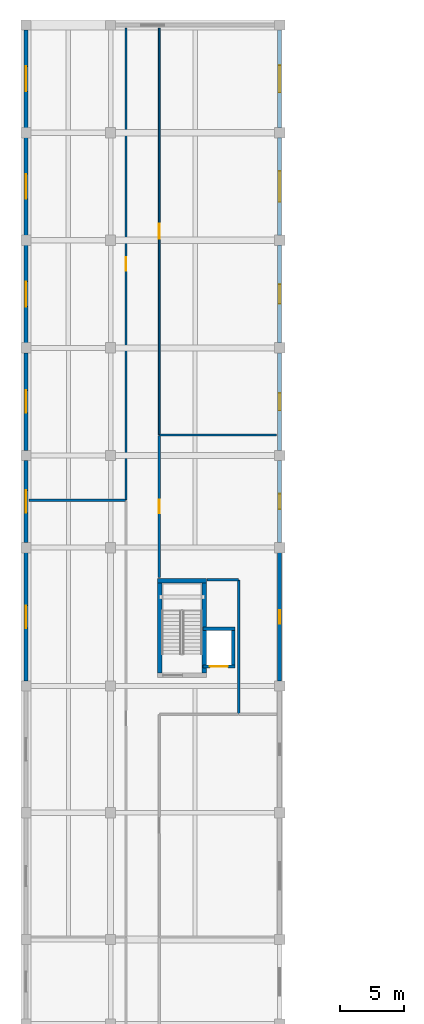
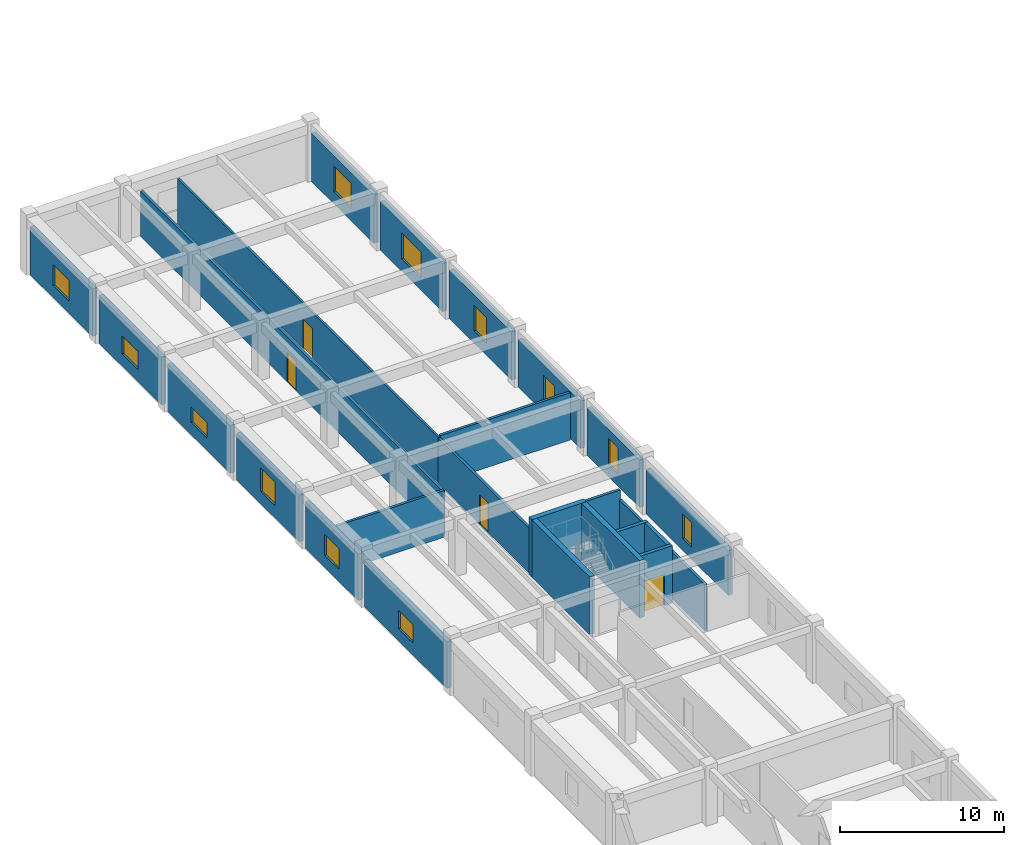
# One storey, part 46 of 57: 25 walls, 12 windows, 4 doors, 16 openings.
"""IFC4 building model written with IfcOpenShell, lengths in metres."""

from ifc_helpers import new_model, si_unit, direction, frame, frame_2d, origin, place, context, subcontext, project, spatial, rectangle, extrude, material, layer, layer_set, type_object, element, fill, save


model = new_model("IFC4")

# Units and contexts
model_context = context("Model", 3, precision=1e-05, world=origin(), true_north=direction((0.0, 1.0)))
body_context = subcontext(model_context, "Body", "Model", "MODEL_VIEW")
ifc_project = project(units=[si_unit("LENGTHUNIT", "METRE"), si_unit("AREAUNIT", "SQUARE_METRE"), si_unit("VOLUMEUNIT", "CUBIC_METRE"), si_unit("PLANEANGLEUNIT", "RADIAN"), si_unit("MASSUNIT", "GRAM", prefix="KILO")], contexts=[model_context])

# Site, building, storey
site_placement = place(None, origin())
site = spatial("IfcSite", under=ifc_project, at=site_placement, CompositionType="ELEMENT")
building_placement = place(site_placement, origin())
building = spatial("IfcBuilding", under=site, at=building_placement, Name="Miralva Faculty of Natural Sciences", CompositionType="ELEMENT")
storey_placement = place(building_placement, frame((0.0, 0.0, 15.0)))
storey = spatial("IfcBuildingStorey", under=building, at=storey_placement, Name="L03", CompositionType="ELEMENT", Elevation=15.0)

# Walls
ifc_material_1 = material(Name="Concrete C50/60", Category="concrete")
ifc_layer_1 = layer(ifc_material_1, 0.35009765625, Name="WL-CW02")
ifc_layer_set_1 = layer_set([ifc_layer_1], Name="Concrete C50/60")
wall_type_1 = type_object("IfcWallType", Name="WL-CW02", PredefinedType="SHEAR", material=ifc_layer_set_1)
wall_1_placement = place(storey_placement, frame((13.25, 73.625, 0.0), z_axis=(0.0, 0.0, 1.0), x_axis=(1.0, 0.0, 0.0)))
element("IfcWall", 1, at=wall_1_placement, inside=storey, type_object=wall_type_1, Name="Core C2 shear wall north L03", PredefinedType="SHEAR", context=body_context, shape_type="SweptSolid", body=[
    extrude(rectangle(XDim=3.85009765625, YDim=0.35009765625, at=frame_2d((1.925048828125, 0.0))), origin(), (0.0, 0.0, 1.0), 4.280029296875),
])
for number, where, z_axis, x_axis, name in (
    (2, (13.425048828125, 66.39990234375, 0.0), (0.0, 0.0, 1.0), (0.0, 1.0, 0.0), "Core C2 shear wall west L03"),
    (3, (16.925048828125, 66.39990234375, 0.0), (0.0, 0.0, 1.0), (0.0, 1.0, 0.0), "Core C2 shear wall east L03"),
):
    element("IfcWall", number, at=place(storey_placement, frame(where, z_axis=z_axis, x_axis=x_axis)), inside=storey, type_object=wall_type_1, Name=name, PredefinedType="SHEAR", context=body_context, shape_type="SweptSolid", body=[
        extrude(rectangle(XDim=7.050048828125, YDim=0.35009765625, at=frame_2d((3.52490234375, 0.0))), origin(), (0.0, 0.0, 1.0), 4.280029296875),
    ])

# Wall, opening, door
ifc_material_2 = material(Name="Concrete C40/50", Category="concrete")
ifc_layer_2 = layer(ifc_material_2, 0.25, Name="WL-CW04")
ifc_layer_set_2 = layer_set([ifc_layer_2], Name="Concrete C40/50")
wall_type_2 = type_object("IfcWallType", Name="WL-CW04", PredefinedType="SHEAR", material=ifc_layer_set_2)
wall_2_placement = place(storey_placement, frame((16.804931640625, 66.929931640625, 0.0), z_axis=(0.0, 0.0, 1.0), x_axis=(1.0, 0.0, 0.0)))
wall_2 = element("IfcWall", 4, at=wall_2_placement, inside=storey, type_object=wall_type_2, Name="Lift L-04 hoistway front wall L03", PredefinedType="SHEAR", context=body_context, shape_type="SweptSolid", body=[
    extrude(rectangle(XDim=2.489990234375, YDim=0.25, at=frame_2d((1.2451171875, 0.0))), origin(), (0.0, 0.0, 1.0), 4.260009765625),
])
opening_1_placement = place(wall_2_placement, frame((0.544921875, 0.0, 0.0)))
opening_1 = element("IfcOpeningElement", 5, at=opening_1_placement, cuts=wall_2, Name="Opening LD-04", PredefinedType="OPENING", context=body_context, shape_type="SweptSolid", body=[
    extrude(rectangle(XDim=1.39990234375, YDim=2.300048828125, at=frame_2d((0.699951171875, 1.14990234375))), frame((0.0, 0.135009765625, 0.0), z_axis=(0.0, -1.0, 0.0), x_axis=(1.0, 0.0, 0.0)), (0.0, 0.0, 1.0), 0.27001953125),
])
ifc_material_3 = material(Name="Galvanised steel", Category="steel")
door_type_1 = type_object("IfcDoorType", Name="DR-LD04", OperationType="DOUBLE_DOOR_SLIDING", PredefinedType="DOOR", material=ifc_material_3)
door_1_placement = place(opening_1_placement, frame((1.39990234375, 0.0, 0.0), z_axis=(0.0, 0.0, 1.0), x_axis=(-1.0, 0.0, 0.0)))
door_1 = element("IfcDoor", 6, at=door_1_placement, inside=storey, type_object=door_type_1, Name="Lift L-04 sliding landing door L03", OperationType="DOUBLE_DOOR_SLIDING", OverallHeight=2.300048828125, OverallWidth=1.39990234375, PredefinedType="DOOR", context=body_context, shape_type="SweptSolid", body=[
    extrude(rectangle(XDim=1.39990234375, YDim=2.300048828125, at=frame_2d((0.699951171875, 1.14990234375))), frame((0.0, 0.02490234375, 0.0), z_axis=(0.0, -1.0, 0.0), x_axis=(1.0, 0.0, 0.0)), (0.0, 0.0, 1.0), 0.050048828125),
])
fill(opening_1, door_1)

# Walls
wall_3_placement = place(storey_placement, frame((16.804931640625, 69.8701171875, 0.0), z_axis=(0.0, 0.0, 1.0), x_axis=(1.0, 0.0, 0.0)))
element("IfcWall", 7, at=wall_3_placement, inside=storey, type_object=wall_type_2, Name="Lift L-04 hoistway rear wall L03", PredefinedType="SHEAR", context=body_context, shape_type="SweptSolid", body=[
    extrude(rectangle(XDim=2.489990234375, YDim=0.25, at=frame_2d((1.2451171875, 0.0))), origin(), (0.0, 0.0, 1.0), 4.260009765625),
])
wall_4_placement = place(storey_placement, frame((19.169921875, 67.054931640625, 0.0), z_axis=(0.0, 0.0, 1.0), x_axis=(0.0, 1.0, 0.0)))
element("IfcWall", 8, at=wall_4_placement, inside=storey, type_object=wall_type_2, Name="Lift L-04 hoistway E wall L03", PredefinedType="SHEAR", context=body_context, shape_type="SweptSolid", body=[
    extrude(rectangle(XDim=2.690185546875, YDim=0.25, at=frame_2d((1.34521484375, 0.0))), origin(), (0.0, 0.0, 1.0), 4.260009765625),
])
ifc_material_4 = material(Name="Gypsum plasterboard")
ifc_layer_3 = layer(ifc_material_4, 0.179931640625, Name="WL-PT02")
ifc_layer_set_3 = layer_set([ifc_layer_3], Name="Gypsum plasterboard")
wall_type_3 = type_object("IfcWallType", Name="WL-PT02", PredefinedType="PARTITIONING", material=ifc_layer_set_3)
wall_5_placement = place(storey_placement, frame((3.22998046875, 79.89990234375, 0.0), z_axis=(0.0, 0.0, 1.0), x_axis=(1.0, 0.0, 0.0)))
element("IfcWall", 9, at=wall_5_placement, inside=storey, type_object=wall_type_3, Name="Interior partition PT-02 L03-389", PredefinedType="PARTITIONING", context=body_context, shape_type="SweptSolid", body=[
    extrude(rectangle(XDim=7.5400390625, YDim=0.179931640625, at=frame_2d((3.77001953125, 0.0))), origin(), (0.0, 0.0, 1.0), 3.47509765625),
])
wall_6_placement = place(storey_placement, frame((13.429931640625, 85.0, 0.0), z_axis=(0.0, 0.0, 1.0), x_axis=(1.0, 0.0, 0.0)))
element("IfcWall", 10, at=wall_6_placement, inside=storey, type_object=wall_type_3, Name="Interior partition PT-02 L03-391", PredefinedType="PARTITIONING", context=body_context, shape_type="SweptSolid", body=[
    extrude(rectangle(XDim=9.14013671875, YDim=0.179931640625, at=frame_2d((4.570068359375, 0.0))), origin(), (0.0, 0.0, 1.0), 3.52490234375),
])

# Wall, opening, door
wall_7_placement = place(storey_placement, frame((13.39990234375, 73.853271484375, 0.0), z_axis=(0.0, 0.0, 1.0), x_axis=(0.0, 1.0, 0.0)))
wall_7 = element("IfcWall", 11, at=wall_7_placement, inside=storey, type_object=wall_type_3, Name="Interior partition PT-02 L03-392", PredefinedType="PARTITIONING", context=body_context, shape_type="SweptSolid", body=[
    extrude(rectangle(XDim=11.11669921875, YDim=0.179931640625, at=frame_2d((5.558349609375, 0.0))), origin(), (0.0, 0.0, 1.0), 3.3349609375),
])
opening_2_placement = place(wall_7_placement, frame((5.033447265625, 0.0, 0.0)))
opening_2 = element("IfcOpeningElement", 12, at=opening_2_placement, cuts=wall_7, Name="Opening D-15", PredefinedType="OPENING", context=body_context, shape_type="SweptSolid", body=[
    extrude(rectangle(XDim=1.050048828125, YDim=2.199951171875, at=frame_2d((0.52490234375, 1.10009765625))), frame((0.0, 0.099853515625, 0.0), z_axis=(0.0, -1.0, 0.0), x_axis=(1.0, 0.0, 0.0)), (0.0, 0.0, 1.0), 0.199951171875),
])
door_type_2 = type_object("IfcDoorType", Name="DR-DI15", OperationType="NOTDEFINED", PredefinedType="DOOR", material=ifc_material_3)
door_2_placement = place(opening_2_placement, origin())
door_2 = element("IfcDoor", 13, at=door_2_placement, inside=storey, type_object=door_type_2, Name="Interior door D-15 L03-145", OperationType="SINGLE_SWING_RIGHT", OverallHeight=2.199951171875, OverallWidth=1.050048828125, PredefinedType="DOOR", context=body_context, shape_type="SweptSolid", body=[
    extrude(rectangle(XDim=1.050048828125, YDim=2.199951171875, at=frame_2d((0.52490234375, 1.10009765625))), frame((0.0, 0.02490234375, 0.0), z_axis=(0.0, -1.0, 0.0), x_axis=(1.0, 0.0, 0.0)), (0.0, 0.0, 1.0), 0.050048828125),
])
fill(opening_2, door_2)

# Walls
wall_8_placement = place(storey_placement, frame((19.60009765625, 63.22998046875, 0.0), z_axis=(0.0, 0.0, 1.0), x_axis=(0.0, 1.0, 0.0)))
element("IfcWall", 14, at=wall_8_placement, inside=storey, type_object=wall_type_3, Name="Interior partition PT-02 L03-393", PredefinedType="PARTITIONING", context=body_context, shape_type="SweptSolid", body=[
    extrude(rectangle(XDim=10.43994140625, YDim=0.179931640625, at=frame_2d((5.219970703125, 0.0))), origin(), (0.0, 0.0, 1.0), 3.455078125),
])
wall_9_placement = place(storey_placement, frame((17.140380859375, 73.699951171875, 0.0), z_axis=(0.0, 0.0, 1.0), x_axis=(1.0, 0.0, 0.0)))
element("IfcWall", 15, at=wall_9_placement, inside=storey, type_object=wall_type_3, Name="Interior partition PT-02 L03-394", PredefinedType="PARTITIONING", context=body_context, shape_type="SweptSolid", body=[
    extrude(rectangle(XDim=2.4296875, YDim=0.179931640625, at=frame_2d((1.21484375, 0.0))), origin(), (0.0, 0.0, 1.0), 4.179931640625),
])

# Wall, opening, door
wall_10_placement = place(storey_placement, frame((10.800048828125, 79.929931640625, 0.0), z_axis=(0.0, 0.0, 1.0), x_axis=(0.0, 1.0, 0.0)))
wall_10 = element("IfcWall", 16, at=wall_10_placement, inside=storey, type_object=wall_type_3, Name="Interior partition PT-02 L03-395", PredefinedType="PARTITIONING", context=body_context, shape_type="SweptSolid", body=[
    extrude(rectangle(XDim=36.840087890625, YDim=0.179931640625, at=frame_2d((18.419921875, 0.0))), origin(), (0.0, 0.0, 1.0), 3.35498046875),
])
opening_3_placement = place(wall_10_placement, frame((17.89501953125, 0.0, 0.0)))
opening_3 = element("IfcOpeningElement", 17, at=opening_3_placement, cuts=wall_10, Name="Opening D-15", PredefinedType="OPENING", context=body_context, shape_type="SweptSolid", body=[
    extrude(rectangle(XDim=1.050048828125, YDim=2.199951171875, at=frame_2d((0.52490234375, 1.10009765625))), frame((0.0, 0.099853515625, 0.0), z_axis=(0.0, -1.0, 0.0), x_axis=(1.0, 0.0, 0.0)), (0.0, 0.0, 1.0), 0.199951171875),
])
door_3_placement = place(opening_3_placement, origin())
door_3 = element("IfcDoor", 18, at=door_3_placement, inside=storey, type_object=door_type_2, Name="Interior door D-15 L03-146", OperationType="SINGLE_SWING_LEFT", OverallHeight=2.199951171875, OverallWidth=1.050048828125, PredefinedType="DOOR", context=body_context, shape_type="SweptSolid", body=[
    extrude(rectangle(XDim=1.050048828125, YDim=2.199951171875, at=frame_2d((0.52490234375, 1.10009765625))), frame((0.0, 0.02490234375, 0.0), z_axis=(0.0, -1.0, 0.0), x_axis=(1.0, 0.0, 0.0)), (0.0, 0.0, 1.0), 0.050048828125),
])
fill(opening_3, door_3)

ifc_layer_4 = layer(ifc_material_4, 0.139892578125, Name="WL-PT04")
ifc_layer_set_4 = layer_set([ifc_layer_4], Name="Gypsum plasterboard")
wall_type_4 = type_object("IfcWallType", Name="WL-PT04", PredefinedType="PARTITIONING", material=ifc_layer_set_4)
wall_11_placement = place(storey_placement, frame((13.39990234375, 85.030029296875, 0.0), z_axis=(0.0, 0.0, 1.0), x_axis=(0.0, 1.0, 0.0)))
wall_11 = element("IfcWall", 19, at=wall_11_placement, inside=storey, type_object=wall_type_4, Name="Interior partition PT-04 L03-396", PredefinedType="PARTITIONING", context=body_context, shape_type="SweptSolid", body=[
    extrude(rectangle(XDim=31.739990234375, YDim=0.139892578125, at=frame_2d((15.8701171875, 0.0))), origin(), (0.0, 0.0, 1.0), 3.35498046875),
])
opening_4_placement = place(wall_11_placement, frame((15.294921875, 0.0, 0.0)))
opening_4 = element("IfcOpeningElement", 20, at=opening_4_placement, cuts=wall_11, Name="Opening D-24", PredefinedType="OPENING", context=body_context, shape_type="SweptSolid", body=[
    extrude(rectangle(XDim=1.14990234375, YDim=2.14990234375, at=frame_2d((0.574951171875, 1.074951171875))), frame((0.0, 0.079833984375, 0.0), z_axis=(0.0, -1.0, 0.0), x_axis=(1.0, 0.0, 0.0)), (0.0, 0.0, 1.0), 0.159912109375),
])
ifc_material_5 = material(Name="Anodised aluminium", Category="aluminium")
door_type_3 = type_object("IfcDoorType", Name="DR-DI24", OperationType="NOTDEFINED", PredefinedType="DOOR", material=ifc_material_5)
door_4_placement = place(opening_4_placement, origin())
door_4 = element("IfcDoor", 21, at=door_4_placement, inside=storey, type_object=door_type_3, Name="Interior door D-24 L03-147", OperationType="SINGLE_SWING_RIGHT", OverallHeight=2.14990234375, OverallWidth=1.14990234375, PredefinedType="DOOR", context=body_context, shape_type="SweptSolid", body=[
    extrude(rectangle(XDim=1.14990234375, YDim=2.14990234375, at=frame_2d((0.574951171875, 1.074951171875))), frame((0.0, 0.02490234375, 0.0), z_axis=(0.0, -1.0, 0.0), x_axis=(1.0, 0.0, 0.0)), (0.0, 0.0, 1.0), 0.050048828125),
])
fill(opening_4, door_4)

# Wall, opening, window
ifc_material_6 = material(Name="Precast concrete C40/50", Category="concrete")
ifc_layer_5 = layer(ifc_material_6, 0.320068359375, Name="WL-WT02")
ifc_layer_set_5 = layer_set([ifc_layer_5], Name="Precast concrete C40/50")
wall_type_5 = type_object("IfcWallType", Name="WL-WT02", PredefinedType="SOLIDWALL", material=ifc_layer_set_5)
wall_12_placement = place(storey_placement, frame((3.0, 65.784912109375, 0.0), z_axis=(0.0, 0.0, 1.0), x_axis=(0.0, 1.0, 0.0)))
wall_12 = element("IfcWall", 22, at=wall_12_placement, inside=storey, type_object=wall_type_5, Name="Exterior wall L03-237", PredefinedType="SOLIDWALL", context=body_context, shape_type="SweptSolid", body=[
    extrude(rectangle(XDim=10.030029296875, YDim=0.320068359375, at=frame_2d((5.01513671875, 0.0))), origin(), (0.0, 0.0, 1.0), 3.47509765625),
])
opening_5_placement = place(wall_12_placement, frame((4.139892578125, 0.0, 0.89990234375)))
opening_5 = element("IfcOpeningElement", 23, at=opening_5_placement, cuts=wall_12, Name="Opening W-62", PredefinedType="OPENING", context=body_context, shape_type="SweptSolid", body=[
    extrude(rectangle(XDim=1.75, YDim=1.35009765625, at=frame_2d((0.875, 0.675048828125))), frame((0.0, 0.169921875, 0.0), z_axis=(0.0, -1.0, 0.0), x_axis=(1.0, 0.0, 0.0)), (0.0, 0.0, 1.0), 0.340087890625),
])
ifc_material_7 = material(Name="Laminated solar-control glass", Category="glass")
window_type_1 = type_object("IfcWindowType", Name="WN-W62", PartitioningType="DOUBLE_PANEL_VERTICAL", PredefinedType="WINDOW", material=ifc_material_7)
window_1_placement = place(opening_5_placement, origin())
window_1 = element("IfcWindow", 24, at=window_1_placement, inside=storey, type_object=window_type_1, Name="Window W-62 L03-174", OverallHeight=1.35009765625, OverallWidth=1.75, PartitioningType="DOUBLE_PANEL_VERTICAL", PredefinedType="WINDOW", context=body_context, shape_type="SweptSolid", body=[
    extrude(rectangle(XDim=1.75, YDim=1.35009765625, at=frame_2d((0.875, 0.675048828125))), frame((0.0, 0.030029296875, 0.0), z_axis=(0.0, -1.0, 0.0), x_axis=(1.0, 0.0, 0.0)), (0.0, 0.0, 1.0), 0.06005859375),
])
fill(opening_5, window_1)

wall_13_placement = place(storey_placement, frame((3.0, 76.5849609375, 0.0), z_axis=(0.0, 0.0, 1.0), x_axis=(0.0, 1.0, 0.0)))
wall_13 = element("IfcWall", 25, at=wall_13_placement, inside=storey, type_object=wall_type_5, Name="Exterior wall L03-238", PredefinedType="SOLIDWALL", context=body_context, shape_type="SweptSolid", body=[
    extrude(rectangle(XDim=6.429931640625, YDim=0.320068359375, at=frame_2d((3.21484375, 0.0))), origin(), (0.0, 0.0, 1.0), 3.47509765625),
])
opening_6_placement = place(wall_13_placement, frame((2.340087890625, 0.0, 0.89990234375)))
opening_6 = element("IfcOpeningElement", 26, at=opening_6_placement, cuts=wall_13, Name="Opening W-63", PredefinedType="OPENING", context=body_context, shape_type="SweptSolid", body=[
    extrude(rectangle(XDim=1.75, YDim=1.550048828125, at=frame_2d((0.875, 0.77490234375))), frame((0.0, 0.169921875, 0.0), z_axis=(0.0, -1.0, 0.0), x_axis=(1.0, 0.0, 0.0)), (0.0, 0.0, 1.0), 0.340087890625),
])
window_type_2 = type_object("IfcWindowType", Name="WN-W63", PartitioningType="DOUBLE_PANEL_VERTICAL", PredefinedType="WINDOW", material=ifc_material_7)
window_2_placement = place(opening_6_placement, origin())
window_2 = element("IfcWindow", 27, at=window_2_placement, inside=storey, type_object=window_type_2, Name="Window W-63 L03-175", OverallHeight=1.550048828125, OverallWidth=1.75, PartitioningType="DOUBLE_PANEL_VERTICAL", PredefinedType="WINDOW", context=body_context, shape_type="SweptSolid", body=[
    extrude(rectangle(XDim=1.75, YDim=1.550048828125, at=frame_2d((0.875, 0.77490234375))), frame((0.0, 0.030029296875, 0.0), z_axis=(0.0, -1.0, 0.0), x_axis=(1.0, 0.0, 0.0)), (0.0, 0.0, 1.0), 0.06005859375),
])
fill(opening_6, window_2)

wall_14_placement = place(storey_placement, frame((3.0, 83.784912109375, 0.0), z_axis=(0.0, 0.0, 1.0), x_axis=(0.0, 1.0, 0.0)))
wall_14 = element("IfcWall", 28, at=wall_14_placement, inside=storey, type_object=wall_type_5, Name="Exterior wall L03-239", PredefinedType="SOLIDWALL", context=body_context, shape_type="SweptSolid", body=[
    extrude(rectangle(XDim=7.630126953125, YDim=0.320068359375, at=frame_2d((3.81494140625, 0.0))), origin(), (0.0, 0.0, 1.0), 3.47509765625),
])
opening_7_placement = place(wall_14_placement, frame((2.93994140625, 0.0, 0.89990234375)))
opening_7 = element("IfcOpeningElement", 29, at=opening_7_placement, cuts=wall_14, Name="Opening W-64", PredefinedType="OPENING", context=body_context, shape_type="SweptSolid", body=[
    extrude(rectangle(XDim=1.75, YDim=1.75, at=frame_2d((0.875, 0.875))), frame((0.0, 0.169921875, 0.0), z_axis=(0.0, -1.0, 0.0), x_axis=(1.0, 0.0, 0.0)), (0.0, 0.0, 1.0), 0.340087890625),
])
window_type_3 = type_object("IfcWindowType", Name="WN-W64", PartitioningType="DOUBLE_PANEL_VERTICAL", PredefinedType="WINDOW", material=ifc_material_7)
window_3_placement = place(opening_7_placement, origin())
window_3 = element("IfcWindow", 30, at=window_3_placement, inside=storey, type_object=window_type_3, Name="Window W-64 L03-176", OverallHeight=1.75, OverallWidth=1.75, PartitioningType="DOUBLE_PANEL_VERTICAL", PredefinedType="WINDOW", context=body_context, shape_type="SweptSolid", body=[
    extrude(rectangle(XDim=1.75, YDim=1.75, at=frame_2d((0.875, 0.875))), frame((0.0, 0.030029296875, 0.0), z_axis=(0.0, -1.0, 0.0), x_axis=(1.0, 0.0, 0.0)), (0.0, 0.0, 1.0), 0.06005859375),
])
fill(opening_7, window_3)

wall_15_placement = place(storey_placement, frame((3.0, 92.18505859375, 0.0), z_axis=(0.0, 0.0, 1.0), x_axis=(0.0, 1.0, 0.0)))
wall_15 = element("IfcWall", 31, at=wall_15_placement, inside=storey, type_object=wall_type_5, Name="Exterior wall L03-240", PredefinedType="SOLIDWALL", context=body_context, shape_type="SweptSolid", body=[
    extrude(rectangle(XDim=7.6298828125, YDim=0.320068359375, at=frame_2d((3.81494140625, 0.0))), origin(), (0.0, 0.0, 1.0), 3.544921875),
])
opening_8_placement = place(wall_15_placement, frame((2.840087890625, 0.0, 0.89990234375)))
opening_8 = element("IfcOpeningElement", 32, at=opening_8_placement, cuts=wall_15, Name="Opening W-65", PredefinedType="OPENING", context=body_context, shape_type="SweptSolid", body=[
    extrude(rectangle(XDim=1.949951171875, YDim=1.14990234375, at=frame_2d((0.97509765625, 0.574951171875))), frame((0.0, 0.169921875, 0.0), z_axis=(0.0, -1.0, 0.0), x_axis=(1.0, 0.0, 0.0)), (0.0, 0.0, 1.0), 0.340087890625),
])
window_type_4 = type_object("IfcWindowType", Name="WN-W65", PartitioningType="DOUBLE_PANEL_VERTICAL", PredefinedType="WINDOW", material=ifc_material_7)
window_4_placement = place(opening_8_placement, origin())
window_4 = element("IfcWindow", 33, at=window_4_placement, inside=storey, type_object=window_type_4, Name="Window W-65 L03-177", OverallHeight=1.14990234375, OverallWidth=1.949951171875, PartitioningType="DOUBLE_PANEL_VERTICAL", PredefinedType="WINDOW", context=body_context, shape_type="SweptSolid", body=[
    extrude(rectangle(XDim=1.949951171875, YDim=1.14990234375, at=frame_2d((0.97509765625, 0.574951171875))), frame((0.0, 0.030029296875, 0.0), z_axis=(0.0, -1.0, 0.0), x_axis=(1.0, 0.0, 0.0)), (0.0, 0.0, 1.0), 0.06005859375),
])
fill(opening_8, window_4)

wall_16_placement = place(storey_placement, frame((3.0, 100.5849609375, 0.0), z_axis=(0.0, 0.0, 1.0), x_axis=(0.0, 1.0, 0.0)))
wall_16 = element("IfcWall", 34, at=wall_16_placement, inside=storey, type_object=wall_type_5, Name="Exterior wall L03-241", PredefinedType="SOLIDWALL", context=body_context, shape_type="SweptSolid", body=[
    extrude(rectangle(XDim=7.630126953125, YDim=0.320068359375, at=frame_2d((3.81494140625, 0.0))), origin(), (0.0, 0.0, 1.0), 3.544921875),
])
opening_9_placement = place(wall_16_placement, frame((2.840087890625, 0.0, 0.89990234375)))
opening_9 = element("IfcOpeningElement", 35, at=opening_9_placement, cuts=wall_16, Name="Opening W-66", PredefinedType="OPENING", context=body_context, shape_type="SweptSolid", body=[
    extrude(rectangle(XDim=1.949951171875, YDim=1.35009765625, at=frame_2d((0.97509765625, 0.675048828125))), frame((0.0, 0.169921875, 0.0), z_axis=(0.0, -1.0, 0.0), x_axis=(1.0, 0.0, 0.0)), (0.0, 0.0, 1.0), 0.340087890625),
])
window_type_5 = type_object("IfcWindowType", Name="WN-W66", PartitioningType="DOUBLE_PANEL_VERTICAL", PredefinedType="WINDOW", material=ifc_material_7)
window_5_placement = place(opening_9_placement, origin())
window_5 = element("IfcWindow", 36, at=window_5_placement, inside=storey, type_object=window_type_5, Name="Window W-66 L03-178", OverallHeight=1.35009765625, OverallWidth=1.949951171875, PartitioningType="DOUBLE_PANEL_VERTICAL", PredefinedType="WINDOW", context=body_context, shape_type="SweptSolid", body=[
    extrude(rectangle(XDim=1.949951171875, YDim=1.35009765625, at=frame_2d((0.97509765625, 0.675048828125))), frame((0.0, 0.030029296875, 0.0), z_axis=(0.0, -1.0, 0.0), x_axis=(1.0, 0.0, 0.0)), (0.0, 0.0, 1.0), 0.06005859375),
])
fill(opening_9, window_5)

wall_17_placement = place(storey_placement, frame((3.0, 108.985107421875, 0.0), z_axis=(0.0, 0.0, 1.0), x_axis=(0.0, 1.0, 0.0)))
wall_17 = element("IfcWall", 37, at=wall_17_placement, inside=storey, type_object=wall_type_5, Name="Exterior wall L03-242", PredefinedType="SOLIDWALL", context=body_context, shape_type="SweptSolid", body=[
    extrude(rectangle(XDim=7.6298828125, YDim=0.320068359375, at=frame_2d((3.81494140625, 0.0))), origin(), (0.0, 0.0, 1.0), 3.544921875),
])
opening_10_placement = place(wall_17_placement, frame((2.840087890625, 0.0, 0.89990234375)))
opening_10 = element("IfcOpeningElement", 38, at=opening_10_placement, cuts=wall_17, Name="Opening W-67", PredefinedType="OPENING", context=body_context, shape_type="SweptSolid", body=[
    extrude(rectangle(XDim=1.949951171875, YDim=1.550048828125, at=frame_2d((0.97509765625, 0.77490234375))), frame((0.0, 0.169921875, 0.0), z_axis=(0.0, -1.0, 0.0), x_axis=(1.0, 0.0, 0.0)), (0.0, 0.0, 1.0), 0.340087890625),
])
window_type_6 = type_object("IfcWindowType", Name="WN-W67", PartitioningType="DOUBLE_PANEL_VERTICAL", PredefinedType="WINDOW", material=ifc_material_7)
window_6_placement = place(opening_10_placement, origin())
window_6 = element("IfcWindow", 39, at=window_6_placement, inside=storey, type_object=window_type_6, Name="Window W-67 L03-179", OverallHeight=1.550048828125, OverallWidth=1.949951171875, PartitioningType="DOUBLE_PANEL_VERTICAL", PredefinedType="WINDOW", context=body_context, shape_type="SweptSolid", body=[
    extrude(rectangle(XDim=1.949951171875, YDim=1.550048828125, at=frame_2d((0.97509765625, 0.77490234375))), frame((0.0, 0.030029296875, 0.0), z_axis=(0.0, -1.0, 0.0), x_axis=(1.0, 0.0, 0.0)), (0.0, 0.0, 1.0), 0.06005859375),
])
fill(opening_10, window_6)

wall_18_placement = place(storey_placement, frame((22.800048828125, 65.784912109375, 0.0), z_axis=(0.0, 0.0, 1.0), x_axis=(0.0, 1.0, 0.0)))
wall_18 = element("IfcWall", 40, at=wall_18_placement, inside=storey, type_object=wall_type_5, Name="Exterior wall L03-247", PredefinedType="SOLIDWALL", context=body_context, shape_type="SweptSolid", body=[
    extrude(rectangle(XDim=10.030029296875, YDim=0.320068359375, at=frame_2d((5.01513671875, 0.0))), origin(), (0.0, 0.0, 1.0), 3.324951171875),
])
opening_11_placement = place(wall_18_placement, frame((4.489990234375, 0.0, 0.89990234375)))
opening_11 = element("IfcOpeningElement", 41, at=opening_11_placement, cuts=wall_18, Name="Opening W-02", PredefinedType="OPENING", context=body_context, shape_type="SweptSolid", body=[
    extrude(rectangle(XDim=1.050048828125, YDim=1.800048828125, at=frame_2d((0.52490234375, 0.89990234375))), frame((0.0, 0.169921875, 0.0), z_axis=(0.0, -1.0, 0.0), x_axis=(1.0, 0.0, 0.0)), (0.0, 0.0, 1.0), 0.340087890625),
])
window_type_7 = type_object("IfcWindowType", Name="WN-W02", PartitioningType="SINGLE_PANEL", PredefinedType="WINDOW", material=ifc_material_7)
window_7_placement = place(opening_11_placement, frame((1.050048828125, 0.0, 0.0), z_axis=(0.0, 0.0, 1.0), x_axis=(-1.0, 0.0, 0.0)))
window_7 = element("IfcWindow", 42, at=window_7_placement, inside=storey, type_object=window_type_7, Name="Window W-02 L03-184", OverallHeight=1.800048828125, OverallWidth=1.050048828125, PartitioningType="SINGLE_PANEL", PredefinedType="WINDOW", context=body_context, shape_type="SweptSolid", body=[
    extrude(rectangle(XDim=1.050048828125, YDim=1.800048828125, at=frame_2d((0.52490234375, 0.89990234375))), frame((0.0, 0.030029296875, 0.0), z_axis=(0.0, -1.0, 0.0), x_axis=(1.0, 0.0, 0.0)), (0.0, 0.0, 1.0), 0.06005859375),
])
fill(opening_11, window_7)

wall_19_placement = place(storey_placement, frame((22.800048828125, 76.5849609375, 0.0), z_axis=(0.0, 0.0, 1.0), x_axis=(0.0, 1.0, 0.0)))
wall_19 = element("IfcWall", 43, at=wall_19_placement, inside=storey, type_object=wall_type_5, Name="Exterior wall L03-248", PredefinedType="SOLIDWALL", context=body_context, shape_type="SweptSolid", body=[
    extrude(rectangle(XDim=6.429931640625, YDim=0.320068359375, at=frame_2d((3.21484375, 0.0))), origin(), (0.0, 0.0, 1.0), 3.52490234375),
])
opening_12_placement = place(wall_19_placement, frame((2.614990234375, 0.0, 0.89990234375)))
opening_12 = element("IfcOpeningElement", 44, at=opening_12_placement, cuts=wall_19, Name="Opening W-03", PredefinedType="OPENING", context=body_context, shape_type="SweptSolid", body=[
    extrude(rectangle(XDim=1.199951171875, YDim=1.949951171875, at=frame_2d((0.60009765625, 0.97509765625))), frame((0.0, 0.169921875, 0.0), z_axis=(0.0, -1.0, 0.0), x_axis=(1.0, 0.0, 0.0)), (0.0, 0.0, 1.0), 0.340087890625),
])
window_type_8 = type_object("IfcWindowType", Name="WN-W03", PartitioningType="DOUBLE_PANEL_HORIZONTAL", PredefinedType="WINDOW", material=ifc_material_7)
window_8_placement = place(opening_12_placement, frame((1.199951171875, 0.0, 0.0), z_axis=(0.0, 0.0, 1.0), x_axis=(-1.0, 0.0, 0.0)))
window_8 = element("IfcWindow", 45, at=window_8_placement, inside=storey, type_object=window_type_8, Name="Window W-03 L03-185", OverallHeight=1.949951171875, OverallWidth=1.199951171875, PartitioningType="DOUBLE_PANEL_HORIZONTAL", PredefinedType="WINDOW", context=body_context, shape_type="SweptSolid", body=[
    extrude(rectangle(XDim=1.199951171875, YDim=1.949951171875, at=frame_2d((0.60009765625, 0.97509765625))), frame((0.0, 0.030029296875, 0.0), z_axis=(0.0, -1.0, 0.0), x_axis=(1.0, 0.0, 0.0)), (0.0, 0.0, 1.0), 0.06005859375),
])
fill(opening_12, window_8)

wall_20_placement = place(storey_placement, frame((22.800048828125, 83.784912109375, 0.0), z_axis=(0.0, 0.0, 1.0), x_axis=(0.0, 1.0, 0.0)))
wall_20 = element("IfcWall", 46, at=wall_20_placement, inside=storey, type_object=wall_type_5, Name="Exterior wall L03-249", PredefinedType="SOLIDWALL", context=body_context, shape_type="SweptSolid", body=[
    extrude(rectangle(XDim=7.630126953125, YDim=0.320068359375, at=frame_2d((3.81494140625, 0.0))), origin(), (0.0, 0.0, 1.0), 3.52490234375),
])
opening_13_placement = place(wall_20_placement, frame((3.139892578125, 0.0, 0.89990234375)))
opening_13 = element("IfcOpeningElement", 47, at=opening_13_placement, cuts=wall_20, Name="Opening W-05", PredefinedType="OPENING", context=body_context, shape_type="SweptSolid", body=[
    extrude(rectangle(XDim=1.35009765625, YDim=1.85009765625, at=frame_2d((0.675048828125, 0.925048828125))), frame((0.0, 0.169921875, 0.0), z_axis=(0.0, -1.0, 0.0), x_axis=(1.0, 0.0, 0.0)), (0.0, 0.0, 1.0), 0.340087890625),
])
window_type_9 = type_object("IfcWindowType", Name="WN-W05", PartitioningType="DOUBLE_PANEL_VERTICAL", PredefinedType="WINDOW", material=ifc_material_7)
window_9_placement = place(opening_13_placement, frame((1.35009765625, 0.0, 0.0), z_axis=(0.0, 0.0, 1.0), x_axis=(-1.0, 0.0, 0.0)))
window_9 = element("IfcWindow", 48, at=window_9_placement, inside=storey, type_object=window_type_9, Name="Window W-05 L03-186", OverallHeight=1.85009765625, OverallWidth=1.35009765625, PartitioningType="DOUBLE_PANEL_VERTICAL", PredefinedType="WINDOW", context=body_context, shape_type="SweptSolid", body=[
    extrude(rectangle(XDim=1.35009765625, YDim=1.85009765625, at=frame_2d((0.675048828125, 0.925048828125))), frame((0.0, 0.030029296875, 0.0), z_axis=(0.0, -1.0, 0.0), x_axis=(1.0, 0.0, 0.0)), (0.0, 0.0, 1.0), 0.06005859375),
])
fill(opening_13, window_9)

wall_21_placement = place(storey_placement, frame((22.800048828125, 92.18505859375, 0.0), z_axis=(0.0, 0.0, 1.0), x_axis=(0.0, 1.0, 0.0)))
wall_21 = element("IfcWall", 49, at=wall_21_placement, inside=storey, type_object=wall_type_5, Name="Exterior wall L03-250", PredefinedType="SOLIDWALL", context=body_context, shape_type="SweptSolid", body=[
    extrude(rectangle(XDim=7.6298828125, YDim=0.320068359375, at=frame_2d((3.81494140625, 0.0))), origin(), (0.0, 0.0, 1.0), 3.594970703125),
])
opening_14_placement = place(wall_21_placement, frame((3.06494140625, 0.0, 0.89990234375)))
opening_14 = element("IfcOpeningElement", 50, at=opening_14_placement, cuts=wall_21, Name="Opening W-06", PredefinedType="OPENING", context=body_context, shape_type="SweptSolid", body=[
    extrude(rectangle(XDim=1.5, YDim=1.89990234375, at=frame_2d((0.75, 0.949951171875))), frame((0.0, 0.169921875, 0.0), z_axis=(0.0, -1.0, 0.0), x_axis=(1.0, 0.0, 0.0)), (0.0, 0.0, 1.0), 0.340087890625),
])
window_type_10 = type_object("IfcWindowType", Name="WN-W06", PartitioningType="DOUBLE_PANEL_VERTICAL", PredefinedType="WINDOW", material=ifc_material_7)
window_10_placement = place(opening_14_placement, frame((1.5, 0.0, 0.0), z_axis=(0.0, 0.0, 1.0), x_axis=(-1.0, 0.0, 0.0)))
window_10 = element("IfcWindow", 51, at=window_10_placement, inside=storey, type_object=window_type_10, Name="Window W-06 L03-187", OverallHeight=1.89990234375, OverallWidth=1.5, PartitioningType="DOUBLE_PANEL_VERTICAL", PredefinedType="WINDOW", context=body_context, shape_type="SweptSolid", body=[
    extrude(rectangle(XDim=1.5, YDim=1.89990234375, at=frame_2d((0.75, 0.949951171875))), frame((0.0, 0.030029296875, 0.0), z_axis=(0.0, -1.0, 0.0), x_axis=(1.0, 0.0, 0.0)), (0.0, 0.0, 1.0), 0.06005859375),
])
fill(opening_14, window_10)

wall_22_placement = place(storey_placement, frame((22.800048828125, 100.5849609375, 0.0), z_axis=(0.0, 0.0, 1.0), x_axis=(0.0, 1.0, 0.0)))
wall_22 = element("IfcWall", 52, at=wall_22_placement, inside=storey, type_object=wall_type_5, Name="Exterior wall L03-251", PredefinedType="SOLIDWALL", context=body_context, shape_type="SweptSolid", body=[
    extrude(rectangle(XDim=7.630126953125, YDim=0.320068359375, at=frame_2d((3.81494140625, 0.0))), origin(), (0.0, 0.0, 1.0), 3.594970703125),
])
opening_15_placement = place(wall_22_placement, frame((2.614990234375, 0.0, 0.89990234375)))
opening_15 = element("IfcOpeningElement", 53, at=opening_15_placement, cuts=wall_22, Name="Opening W-07", PredefinedType="OPENING", context=body_context, shape_type="SweptSolid", body=[
    extrude(rectangle(XDim=2.39990234375, YDim=1.949951171875, at=frame_2d((1.199951171875, 0.97509765625))), frame((0.0, 0.169921875, 0.0), z_axis=(0.0, -1.0, 0.0), x_axis=(1.0, 0.0, 0.0)), (0.0, 0.0, 1.0), 0.340087890625),
])
window_type_11 = type_object("IfcWindowType", Name="WN-W07", PartitioningType="DOUBLE_PANEL_VERTICAL", PredefinedType="WINDOW", material=ifc_material_7)
window_11_placement = place(opening_15_placement, frame((2.39990234375, 0.0, 0.0), z_axis=(0.0, 0.0, 1.0), x_axis=(-1.0, 0.0, 0.0)))
window_11 = element("IfcWindow", 54, at=window_11_placement, inside=storey, type_object=window_type_11, Name="Window W-07 L03-188", OverallHeight=1.949951171875, OverallWidth=2.39990234375, PartitioningType="DOUBLE_PANEL_VERTICAL", PredefinedType="WINDOW", context=body_context, shape_type="SweptSolid", body=[
    extrude(rectangle(XDim=2.39990234375, YDim=1.949951171875, at=frame_2d((1.199951171875, 0.97509765625))), frame((0.0, 0.030029296875, 0.0), z_axis=(0.0, -1.0, 0.0), x_axis=(1.0, 0.0, 0.0)), (0.0, 0.0, 1.0), 0.06005859375),
])
fill(opening_15, window_11)

wall_23_placement = place(storey_placement, frame((22.800048828125, 108.985107421875, 0.0), z_axis=(0.0, 0.0, 1.0), x_axis=(0.0, 1.0, 0.0)))
wall_23 = element("IfcWall", 55, at=wall_23_placement, inside=storey, type_object=wall_type_5, Name="Exterior wall L03-252", PredefinedType="SOLIDWALL", context=body_context, shape_type="SweptSolid", body=[
    extrude(rectangle(XDim=7.6298828125, YDim=0.320068359375, at=frame_2d((3.81494140625, 0.0))), origin(), (0.0, 0.0, 1.0), 3.594970703125),
])
opening_16_placement = place(wall_23_placement, frame((2.764892578125, 0.0, 0.89990234375)))
opening_16 = element("IfcOpeningElement", 56, at=opening_16_placement, cuts=wall_23, Name="Opening W-09", PredefinedType="OPENING", context=body_context, shape_type="SweptSolid", body=[
    extrude(rectangle(XDim=2.10009765625, YDim=1.89990234375, at=frame_2d((1.050048828125, 0.949951171875))), frame((0.0, 0.169921875, 0.0), z_axis=(0.0, -1.0, 0.0), x_axis=(1.0, 0.0, 0.0)), (0.0, 0.0, 1.0), 0.340087890625),
])
window_type_12 = type_object("IfcWindowType", Name="WN-W09", PartitioningType="DOUBLE_PANEL_VERTICAL", PredefinedType="WINDOW", material=ifc_material_7)
window_12_placement = place(opening_16_placement, frame((2.10009765625, 0.0, 0.0), z_axis=(0.0, 0.0, 1.0), x_axis=(-1.0, 0.0, 0.0)))
window_12 = element("IfcWindow", 57, at=window_12_placement, inside=storey, type_object=window_type_12, Name="Window W-09 L03-189", OverallHeight=1.89990234375, OverallWidth=2.10009765625, PartitioningType="DOUBLE_PANEL_VERTICAL", PredefinedType="WINDOW", context=body_context, shape_type="SweptSolid", body=[
    extrude(rectangle(XDim=2.10009765625, YDim=1.89990234375, at=frame_2d((1.050048828125, 0.949951171875))), frame((0.0, 0.030029296875, 0.0), z_axis=(0.0, -1.0, 0.0), x_axis=(1.0, 0.0, 0.0)), (0.0, 0.0, 1.0), 0.06005859375),
])
fill(opening_16, window_12)

save(model, "model.ifc")
